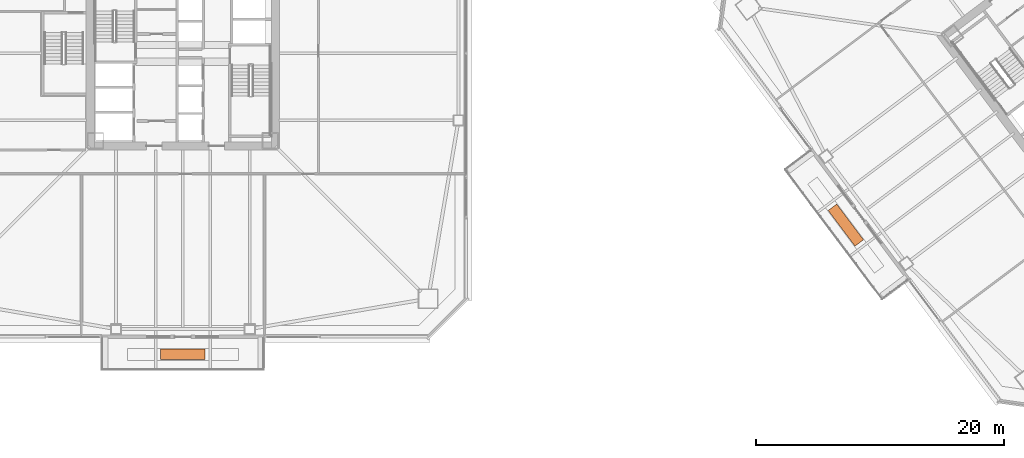
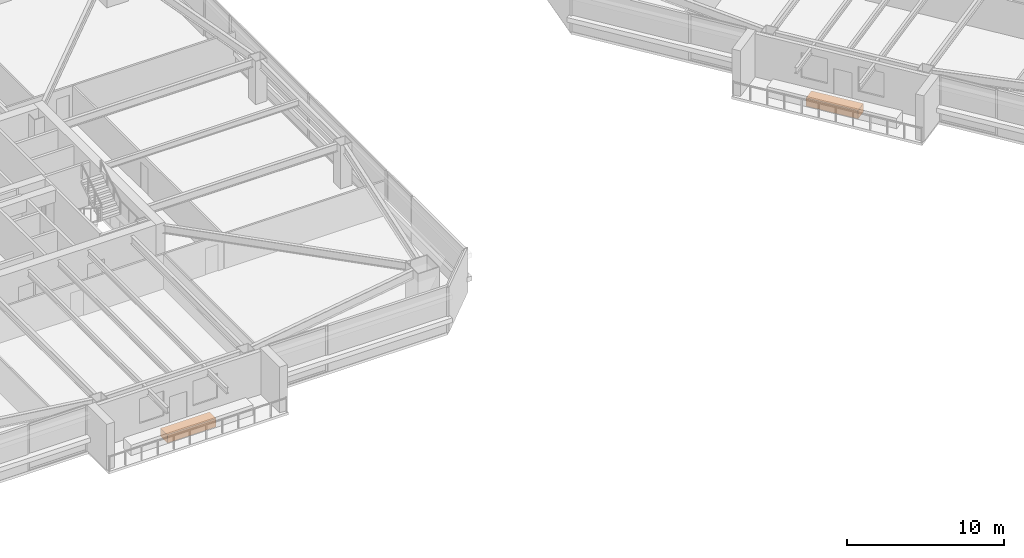
# One storey, part 48 of 48: 2 proxies.
"""IFC4 building model written with IfcOpenShell, lengths in metres."""

from ifc_helpers import new_model, si_unit, direction, frame, origin, origin_2d, place, context, subcontext, project, spatial, rectangle, extrude, material, type_object, element, save


model = new_model("IFC4")

# Units and contexts
model_context = context("Model", 3, precision=1e-05, world=origin(), true_north=direction((0.0, 1.0)))
body_context = subcontext(model_context, "Body", "Model", "MODEL_VIEW")
ifc_project = project(units=[si_unit("LENGTHUNIT", "METRE"), si_unit("AREAUNIT", "SQUARE_METRE"), si_unit("VOLUMEUNIT", "CUBIC_METRE"), si_unit("PLANEANGLEUNIT", "RADIAN"), si_unit("MASSUNIT", "GRAM", prefix="KILO")], contexts=[model_context])

# Site, building, storey
site_placement = place(None, origin())
site = spatial("IfcSite", under=ifc_project, at=site_placement, CompositionType="ELEMENT")
building_placement = place(site_placement, origin())
building = spatial("IfcBuilding", under=site, at=building_placement, Name="Tashvorn Skyway Center", CompositionType="ELEMENT")
storey_placement = place(building_placement, frame((0.0, 0.0, 56.550048828125)))
storey = spatial("IfcBuildingStorey", under=building, at=storey_placement, Name="L14", CompositionType="ELEMENT", Elevation=56.550048828125)

# Proxies
ifc_material = material(Name="Engineered Mojave xeriscape planter concrete C40/50", Category="concrete")
building_element_proxy_type = type_object("IfcBuildingElementProxyType", Name="FURN-PLANTER", PredefinedType="USERDEFINED", material=ifc_material)
for number, where, z_axis, x_axis, name in (
    (1, (42.0, 7.699951171875, 0.0), (0.0, 0.0, 1.0), (-1.0, 0.0, 0.0), "Tower 1 L14 Sky Garden Xeriscape PLANTER"),
    (2, (95.52001953125, 18.139892578125, 0.0), (0.0, 0.0, 1.0), (-0.600000004945, 0.799999996291, 0.0), "Tower 2 L14 Sky Garden Xeriscape PLANTER"),
):
    element("IfcBuildingElementProxy", number, at=place(storey_placement, frame(where, z_axis=z_axis, x_axis=x_axis)), inside=storey, type_object=building_element_proxy_type, Name=name, ObjectType="PLANTER", PredefinedType="USERDEFINED", context=body_context, shape_type="SweptSolid", body=[
        extrude(rectangle(XDim=3.60009765625, YDim=0.85009765625, at=origin_2d()), origin(), (0.0, 0.0, 1.0), 0.64990234375),
    ])

save(model, "model.ifc")
